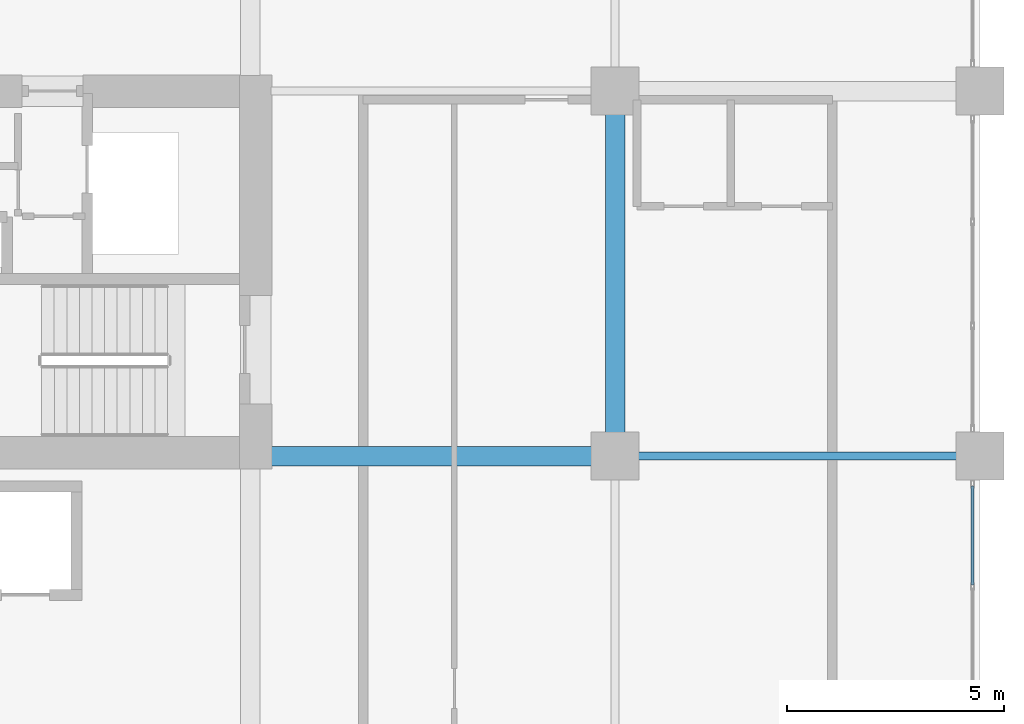
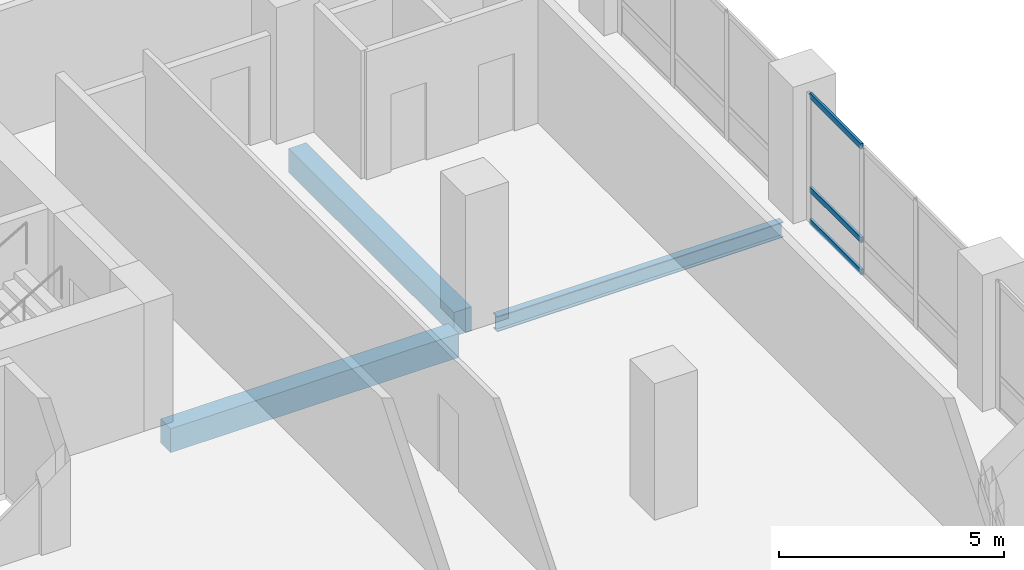
# One storey, part 5 of 22: 3 beams, 3 members, 1 element without a shape of its own.
"""IFC4 building model written with IfcOpenShell, lengths in metres."""

from ifc_helpers import new_model, si_unit, direction, frame, origin, origin_2d, place, context, subcontext, project, spatial, rectangle, hollow_rectangle, i_section, extrude, material, layer, layer_set, material_profile, profile_set, type_object, element, aggregate, save


model = new_model("IFC4")

# Units and contexts
model_context = context("Model", 3, precision=1e-05, world=origin(), true_north=direction((0.0, 1.0)))
body_context = subcontext(model_context, "Body", "Model", "MODEL_VIEW")
ifc_project = project(units=[si_unit("LENGTHUNIT", "METRE"), si_unit("AREAUNIT", "SQUARE_METRE"), si_unit("VOLUMEUNIT", "CUBIC_METRE"), si_unit("PLANEANGLEUNIT", "RADIAN"), si_unit("MASSUNIT", "GRAM", prefix="KILO")], contexts=[model_context])

# Site, building, storey
site_placement = place(None, origin())
site = spatial("IfcSite", under=ifc_project, at=site_placement, CompositionType="ELEMENT")
building_placement = place(site_placement, origin())
building = spatial("IfcBuilding", under=site, at=building_placement, Name="Koriwani Terraces Tower", CompositionType="ELEMENT")
storey_placement = place(building_placement, frame((0.0, 0.0, 182.800048828125)))
storey = spatial("IfcBuildingStorey", under=building, at=storey_placement, Name="L44", CompositionType="ELEMENT", Elevation=182.800048828125)

# Beams
ifc_material_1 = material(Name="Concrete C50/60", Category="concrete")
ifc_material_profile_1 = material_profile(ifc_material_1, rectangle(XDim=0.449951171875, YDim=0.64990234375, at=origin_2d()), Name="Concrete C50/60", Category="LoadBearing")
ifc_profile_set_1 = profile_set([ifc_material_profile_1], Name="Concrete C50/60")
beam_type_1 = type_object("IfcBeamType", Name="BEAM_RC_GRID_450X650", PredefinedType="BEAM", material=ifc_profile_set_1)
beam_1_placement = place(storey_placement, frame((59.280029296875, 16.800048828125, -0.554931640625), z_axis=(1.0, 0.0, 0.0), x_axis=(0.0, 1.0, 0.0)))
element("IfcBeam", 1, at=beam_1_placement, inside=storey, type_object=beam_type_1, Name="L44 Grid Beam C (58.8-67.2m)", PredefinedType="BEAM", context=body_context, shape_type="SweptSolid", body=[
    extrude(rectangle(XDim=0.449951171875, YDim=0.64990234375, at=origin_2d()), origin(), (0.0, 0.0, 1.0), 7.389892578125),
])
beam_2_placement = place(storey_placement, frame((67.199951171875, 17.330078125, -0.554931640625), z_axis=(0.0, 1.0, 0.0), x_axis=(-1.0, 0.0, 0.0)))
element("IfcBeam", 2, at=beam_2_placement, inside=storey, type_object=beam_type_1, Name="L44 Grid Beam 9 (16.8-25.2m)", PredefinedType="BEAM", context=body_context, shape_type="SweptSolid", body=[
    extrude(rectangle(XDim=0.449951171875, YDim=0.64990234375, at=origin_2d()), origin(), (0.0, 0.0, 1.0), 7.33984375),
])

# Curtain wall, members
ifc_material_2 = material(Name="Anodised Bronze Aluminium", Category="aluminium")
ifc_layer = layer(ifc_material_2, 0.169921875, Name="Anodised Bronze Aluminium")
ifc_layer_set = layer_set([ifc_layer], Name="Anodised Bronze Aluminium")
curtain_wall_type = type_object("IfcCurtainWallType", Name="CW_RES_ZONE3", PredefinedType="NOTDEFINED", material=ifc_layer_set)
curtain_wall_placement = place(storey_placement, origin())
curtain_wall = element("IfcCurtainWall", 3, at=curtain_wall_placement, inside=storey, type_object=curtain_wall_type, Name="L44 Unitised Curtain Wall (E_TIP) Bay 3", PredefinedType="NOTDEFINED")
ifc_material_profile_2 = material_profile(ifc_material_2, hollow_rectangle(XDim=0.06494140625, YDim=0.14990234375, WallThickness=0.0048828125, at=origin_2d()), Name="Anodised Bronze Aluminium", Category="LoadBearing")
ifc_profile_set_2 = profile_set([ifc_material_profile_2], Name="Anodised Bronze Aluminium")
member_type = type_object("IfcMemberType", Name="CW_TRANSOM_150X65", PredefinedType="USERDEFINED", material=ifc_profile_set_2)
member_1_placement = place(storey_placement, frame((75.425048828125, 16.114990234375, 0.032470703125), z_axis=(0.0, -1.0, 0.0), x_axis=(1.0, 0.0, 0.0)))
member_1 = element("IfcMember", 4, at=member_1_placement, type_object=member_type, Name="CW-Z3 transom 1.1", ObjectType="TRANSOM", PredefinedType="USERDEFINED", context=body_context, shape_type="SweptSolid", body=[
    extrude(hollow_rectangle(XDim=0.06494140625, YDim=0.14990234375, WallThickness=0.0048828125, at=origin_2d()), origin(), (0.0, 0.0, 1.0), 2.28076171875),
])
member_2_placement = place(storey_placement, frame((75.425048828125, 16.114990234375, 0.89990234375), z_axis=(0.0, -1.0, 0.0), x_axis=(1.0, 0.0, 0.0)))
member_2 = element("IfcMember", 5, at=member_2_placement, type_object=member_type, Name="CW-Z3 transom 1.2", ObjectType="TRANSOM", PredefinedType="USERDEFINED", context=body_context, shape_type="SweptSolid", body=[
    extrude(hollow_rectangle(XDim=0.06494140625, YDim=0.14990234375, WallThickness=0.0048828125, at=origin_2d()), origin(), (0.0, 0.0, 1.0), 2.28076171875),
])
member_3_placement = place(storey_placement, frame((75.425048828125, 16.114990234375, 3.4375), z_axis=(0.0, -1.0, 0.0), x_axis=(1.0, 0.0, 0.0)))
member_3 = element("IfcMember", 6, at=member_3_placement, type_object=member_type, Name="CW-Z3 transom 1.3", ObjectType="TRANSOM", PredefinedType="USERDEFINED", context=body_context, shape_type="SweptSolid", body=[
    extrude(hollow_rectangle(XDim=0.06494140625, YDim=0.14990234375, WallThickness=0.0048828125, at=origin_2d()), origin(), (0.0, 0.0, 1.0), 2.28076171875),
])
aggregate(curtain_wall, [member_1, member_2, member_3])

# Beam
ifc_material_3 = material(Name="Steel ASTM A572 Grade 50", Category="steel")
ifc_material_profile_3 = material_profile(ifc_material_3, i_section(OverallWidth=0.180908203125, OverallDepth=0.4169921875, WebThickness=0.010986328125, FlangeThickness=0.018310546875, at=origin_2d()), Name="Steel ASTM A572 Grade 50", Category="LoadBearing")
ifc_profile_set_3 = profile_set([ifc_material_profile_3], Name="Steel ASTM A572 Grade 50")
beam_type_2 = type_object("IfcBeamType", Name="STEEL_BEAM_W410X85", PredefinedType="JOIST", material=ifc_profile_set_3)
beam_3_placement = place(storey_placement, frame((67.72998046875, 16.800048828125, -0.4384765625), z_axis=(1.0, 0.0, 0.0), x_axis=(0.0, 1.0, 0.0)))
element("IfcBeam", 7, at=beam_3_placement, inside=storey, type_object=beam_type_2, Name="L44 Grid Beam C (67.2-75.6m)", PredefinedType="JOIST", context=body_context, shape_type="SweptSolid", body=[
    extrude(i_section(OverallWidth=0.180908203125, OverallDepth=0.4169921875, WebThickness=0.010986328125, FlangeThickness=0.018310546875, at=origin_2d()), origin(), (0.0, 0.0, 1.0), 7.340087890625),
])

save(model, "model.ifc")
